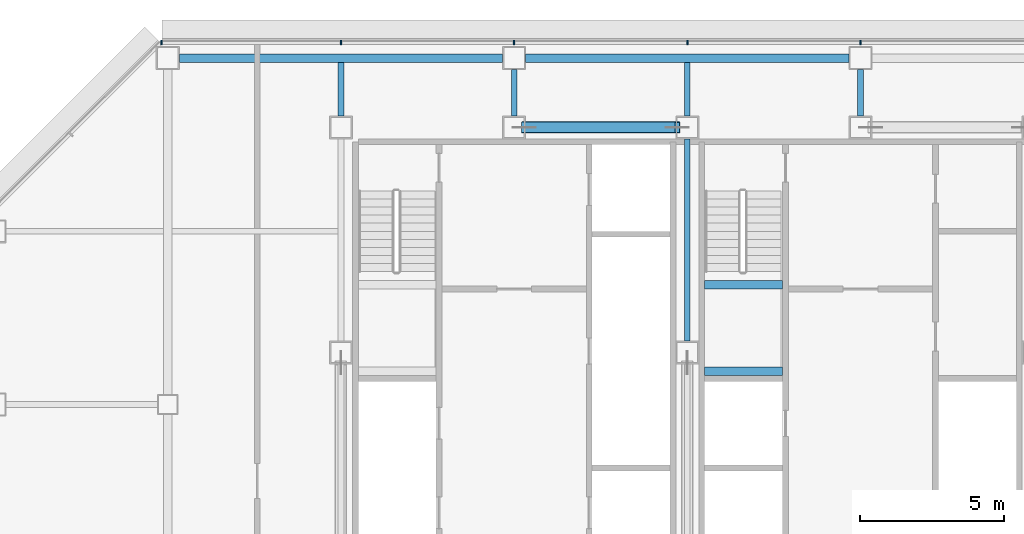
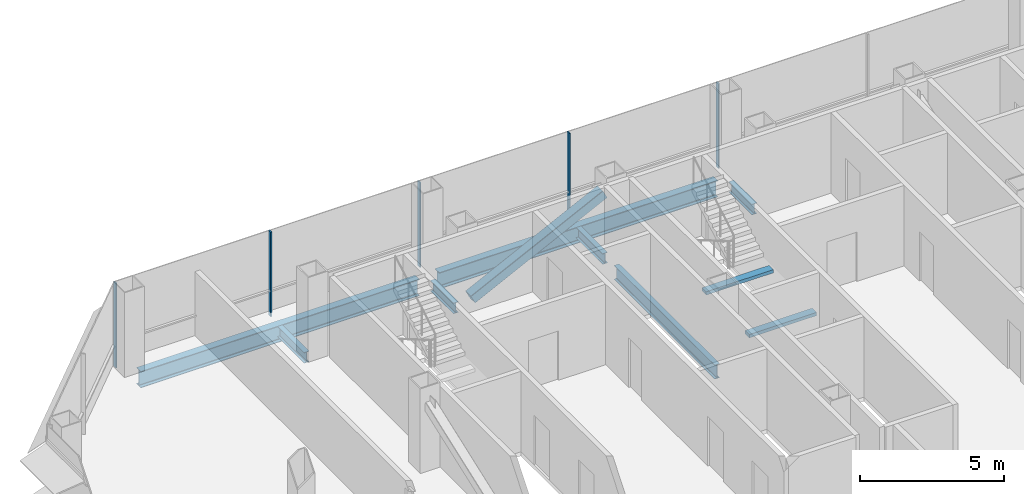
# One storey, part 12 of 25: 9 beams, 6 members, 1 element without a shape of its own.
"""IFC4 building model written with IfcOpenShell, lengths in metres."""

from ifc_helpers import new_model, si_unit, direction, frame, origin, origin_2d, place, context, subcontext, project, spatial, rectangle, hollow_rectangle, i_section, extrude, material, material_profile, profile_set, type_object, element, aggregate, save


model = new_model("IFC4")

# Units and contexts
model_context = context("Model", 3, precision=1e-05, world=origin(), true_north=direction((0.0, 1.0)))
body_context = subcontext(model_context, "Body", "Model", "MODEL_VIEW")
ifc_project = project(units=[si_unit("LENGTHUNIT", "METRE"), si_unit("AREAUNIT", "SQUARE_METRE"), si_unit("VOLUMEUNIT", "CUBIC_METRE"), si_unit("PLANEANGLEUNIT", "RADIAN"), si_unit("MASSUNIT", "GRAM", prefix="KILO")], contexts=[model_context])

# Site, building, storey
site_placement = place(None, origin())
site = spatial("IfcSite", under=ifc_project, at=site_placement, CompositionType="ELEMENT")
building_placement = place(site_placement, origin())
building = spatial("IfcBuilding", under=site, at=building_placement, Name="Sorahane Residences", CompositionType="ELEMENT")
storey_placement = place(building_placement, frame((0.0, 0.0, 126.800048828125)))
storey = spatial("IfcBuildingStorey", under=building, at=storey_placement, Name="L28", CompositionType="ELEMENT", Elevation=126.800048828125)

# Member
ifc_material_1 = material(Name="Steel Q355B", Category="steel")
ifc_material_profile_1 = material_profile(ifc_material_1, hollow_rectangle(XDim=0.39990234375, YDim=0.39990234375, WallThickness=0.02001953125, InnerFilletRadius=0.010009765625, OuterFilletRadius=0.030029296875, at=origin_2d()), Name="RHS 400x400x20")
ifc_profile_set_1 = profile_set([ifc_material_profile_1], Name="Steel Q355B")
member_type_1 = type_object("IfcMemberType", Name="Core brace RHS 400x400x20 Q355B", PredefinedType="BRACE", material=ifc_profile_set_1)
member_1_placement = place(storey_placement, frame((12.346923828125, 45.60009765625, 0.173583984375), z_axis=(0.896480070819, 0.0, 0.443084058192), x_axis=(0.0, 1.0, 0.0)))
element("IfcMember", 1, at=member_1_placement, inside=storey, type_object=member_type_1, Name="Core brace L28 y45.6-2", PredefinedType="BRACE", context=body_context, shape_type="SweptSolid", body=[
    extrude(hollow_rectangle(XDim=0.39990234375, YDim=0.39990234375, WallThickness=0.02001953125, InnerFilletRadius=0.010009765625, OuterFilletRadius=0.030029296875, at=origin_2d()), origin(), (0.0, 0.0, 1.0), 5.9189453125),
])

# Curtain wall, members
ifc_material_2 = material(Name="Dark low-e glass and black anodised aluminium", Category="aluminium")
curtain_wall_type = type_object("IfcCurtainWallType", Name="Curtain wall CW-1 Typical unitised wall", PredefinedType="NOTDEFINED", material=ifc_material_2)
curtain_wall_placement = place(storey_placement, origin())
curtain_wall = element("IfcCurtainWall", 2, at=curtain_wall_placement, inside=storey, type_object=curtain_wall_type, Name="CW-1 curtain wall L28 N1", PredefinedType="NOTDEFINED")
ifc_material_3 = material(Name="Black anodised aluminium", Category="aluminium")
ifc_material_profile_2 = material_profile(ifc_material_3, rectangle(XDim=0.159912109375, YDim=0.050048828125, at=origin_2d()), Name="Curtain wall mullion CW-1 black anodised aluminium 50x160")
ifc_profile_set_2 = profile_set([ifc_material_profile_2], Name="Black anodised aluminium")
member_type_2 = type_object("IfcMemberType", Name="Curtain wall mullion CW-1 black anodised aluminium 50x160", PredefinedType="MULLION", material=ifc_profile_set_2)
member_2_placement = place(storey_placement, frame((24.0, 48.5400390625, -0.179931640625), z_axis=(0.0, 0.0, 1.0), x_axis=(0.0, 1.0, 0.0)))
member_2 = element("IfcMember", 3, at=member_2_placement, type_object=member_type_2, Name="CW-1 mullion L28 N1.6", PredefinedType="MULLION", context=body_context, shape_type="SweptSolid", body=[
    extrude(rectangle(XDim=0.159912109375, YDim=0.050048828125, at=origin_2d()), origin(), (0.0, 0.0, 1.0), 3.599853515625),
])
member_3_placement = place(storey_placement, frame((18.0, 48.5400390625, -0.179931640625), z_axis=(0.0, 0.0, 1.0), x_axis=(0.0, 1.0, 0.0)))
member_3 = element("IfcMember", 4, at=member_3_placement, type_object=member_type_2, Name="CW-1 mullion L28 N1.7", PredefinedType="MULLION", context=body_context, shape_type="SweptSolid", body=[
    extrude(rectangle(XDim=0.159912109375, YDim=0.050048828125, at=origin_2d()), origin(), (0.0, 0.0, 1.0), 3.599853515625),
])
member_4_placement = place(storey_placement, frame((12.0, 48.5400390625, -0.179931640625), z_axis=(0.0, 0.0, 1.0), x_axis=(0.0, 1.0, 0.0)))
member_4 = element("IfcMember", 5, at=member_4_placement, type_object=member_type_2, Name="CW-1 mullion L28 N1.8", PredefinedType="MULLION", context=body_context, shape_type="SweptSolid", body=[
    extrude(rectangle(XDim=0.159912109375, YDim=0.050048828125, at=origin_2d()), origin(), (0.0, 0.0, 1.0), 3.599853515625),
])
member_5_placement = place(storey_placement, frame((6.0, 48.5400390625, -0.179931640625), z_axis=(0.0, 0.0, 1.0), x_axis=(0.0, 1.0, 0.0)))
member_5 = element("IfcMember", 6, at=member_5_placement, type_object=member_type_2, Name="CW-1 mullion L28 N1.9", PredefinedType="MULLION", context=body_context, shape_type="SweptSolid", body=[
    extrude(rectangle(XDim=0.159912109375, YDim=0.050048828125, at=origin_2d()), origin(), (0.0, 0.0, 1.0), 3.599853515625),
])
member_6_placement = place(storey_placement, frame((-0.2236328125, 48.5400390625, -0.179931640625), z_axis=(0.0, 0.0, 1.0), x_axis=(0.0, 1.0, 0.0)))
member_6 = element("IfcMember", 7, at=member_6_placement, type_object=member_type_2, Name="CW-1 mullion L28 N1.10", PredefinedType="MULLION", context=body_context, shape_type="SweptSolid", body=[
    extrude(rectangle(XDim=0.159912109375, YDim=0.050048828125, at=origin_2d()), origin(), (0.0, 0.0, 1.0), 3.599853515625),
])
aggregate(curtain_wall, [member_2, member_3, member_4, member_5, member_6])

# Beams
ifc_material_4 = material(Name="Concrete C40", Category="concrete")
ifc_material_profile_3 = material_profile(ifc_material_4, rectangle(XDim=0.300048828125, YDim=0.139892578125, at=origin_2d()), Name="300x140")
ifc_profile_set_3 = profile_set([ifc_material_profile_3], Name="Concrete C40")
beam_type_1 = type_object("IfcBeamType", Name="RC landing beam 300 x 140 Concrete C40", PredefinedType="BEAM", material=ifc_profile_set_3)
for number, where, z_axis, x_axis, name in (
    (8, (18.60009765625, 37.14990234375, 1.530029296875), (1.0, 0.0, 0.0), (0.0, 1.0, 0.0), "Landing beam"),
    (9, (18.60009765625, 40.14990234375, 1.530029296875), (1.0, 0.0, 0.0), (0.0, 1.0, 0.0), "Landing beam"),
):
    element("IfcBeam", number, at=place(storey_placement, frame(where, z_axis=z_axis, x_axis=x_axis)), inside=storey, type_object=beam_type_1, Name=name, PredefinedType="BEAM", context=body_context, shape_type="SweptSolid", body=[
        extrude(rectangle(XDim=0.300048828125, YDim=0.139892578125, at=origin_2d()), origin(), (0.0, 0.0, 1.0), 2.699951171875),
    ])
ifc_material_5 = material(Name="Steel Q355B", Category="steel")
ifc_material_profile_4 = material_profile(ifc_material_5, i_section(OverallWidth=0.199951171875, OverallDepth=0.449951171875, WebThickness=0.009033203125, FlangeThickness=0.013916015625, FilletRadius=0.02001953125, at=origin_2d()), Name="HN 450x200x9x14")
ifc_profile_set_4 = profile_set([ifc_material_profile_4], Name="Steel Q355B")
beam_type_2 = type_object("IfcBeamType", Name="Steel floor beam HN 450x200x9x14 Q355B", PredefinedType="BEAM", material=ifc_profile_set_4)
beam_1_placement = place(storey_placement, frame((6.0, 46.0, -0.405029296875), z_axis=(0.0, 1.0, 0.0), x_axis=(-1.0, 0.0, 0.0)))
element("IfcBeam", 10, at=beam_1_placement, inside=storey, type_object=beam_type_2, Name="Beam L28 033", PredefinedType="BEAM", context=body_context, shape_type="SweptSolid", body=[
    extrude(i_section(OverallWidth=0.199951171875, OverallDepth=0.449951171875, WebThickness=0.009033203125, FlangeThickness=0.013916015625, FilletRadius=0.02001953125, at=origin_2d()), origin(), (0.0, 0.0, 1.0), 1.85009765625),
])
beam_2_placement = place(storey_placement, frame((12.0, 46.0, -0.405029296875), z_axis=(0.0, 1.0, 0.0), x_axis=(-1.0, 0.0, 0.0)))
element("IfcBeam", 11, at=beam_2_placement, inside=storey, type_object=beam_type_2, Name="Beam L28 035", PredefinedType="BEAM", context=body_context, shape_type="SweptSolid", body=[
    extrude(i_section(OverallWidth=0.199951171875, OverallDepth=0.449951171875, WebThickness=0.009033203125, FlangeThickness=0.013916015625, FilletRadius=0.02001953125, at=origin_2d()), origin(), (0.0, 0.0, 1.0), 1.60009765625),
])
beam_3_placement = place(storey_placement, frame((18.0, 46.0, -0.405029296875), z_axis=(0.0, 1.0, 0.0), x_axis=(-1.0, 0.0, 0.0)))
element("IfcBeam", 12, at=beam_3_placement, inside=storey, type_object=beam_type_2, Name="Beam L28 041", PredefinedType="BEAM", context=body_context, shape_type="SweptSolid", body=[
    extrude(i_section(OverallWidth=0.199951171875, OverallDepth=0.449951171875, WebThickness=0.009033203125, FlangeThickness=0.013916015625, FilletRadius=0.02001953125, at=origin_2d()), origin(), (0.0, 0.0, 1.0), 1.85009765625),
])
beam_4_placement = place(storey_placement, frame((24.0, 46.0, -0.405029296875), z_axis=(0.0, 1.0, 0.0), x_axis=(-1.0, 0.0, 0.0)))
element("IfcBeam", 13, at=beam_4_placement, inside=storey, type_object=beam_type_2, Name="Beam L28 043", PredefinedType="BEAM", context=body_context, shape_type="SweptSolid", body=[
    extrude(i_section(OverallWidth=0.199951171875, OverallDepth=0.449951171875, WebThickness=0.009033203125, FlangeThickness=0.013916015625, FilletRadius=0.02001953125, at=origin_2d()), origin(), (0.0, 0.0, 1.0), 1.60009765625),
])
ifc_material_6 = material(Name="Steel Q355B", Category="steel")
ifc_material_profile_5 = material_profile(ifc_material_6, i_section(OverallWidth=0.199951171875, OverallDepth=0.60009765625, WebThickness=0.010986328125, FlangeThickness=0.01708984375, FilletRadius=0.02392578125, at=origin_2d()), Name="HN 600x200x11x17")
ifc_profile_set_5 = profile_set([ifc_material_profile_5], Name="Steel Q355B")
beam_type_3 = type_object("IfcBeamType", Name="Steel floor beam HN 600x200x11x17 Q355B", PredefinedType="BEAM", material=ifc_profile_set_5)
beam_5_placement = place(storey_placement, frame((18.0, 38.199951171875, -0.47998046875), z_axis=(0.0, 1.0, 0.0), x_axis=(-1.0, 0.0, 0.0)))
element("IfcBeam", 14, at=beam_5_placement, inside=storey, type_object=beam_type_3, Name="Beam L28 040", PredefinedType="BEAM", context=body_context, shape_type="SweptSolid", body=[
    extrude(i_section(OverallWidth=0.199951171875, OverallDepth=0.60009765625, WebThickness=0.010986328125, FlangeThickness=0.01708984375, FilletRadius=0.02392578125, at=origin_2d()), origin(), (0.0, 0.0, 1.0), 7.0),
])
ifc_material_7 = material(Name="Steel Q355B", Category="steel")
ifc_material_profile_6 = material_profile(ifc_material_7, i_section(OverallWidth=0.300048828125, OverallDepth=0.699951171875, WebThickness=0.012939453125, FlangeThickness=0.02392578125, FilletRadius=0.028076171875, at=origin_2d()), Name="HN 700x300x13x24")
ifc_profile_set_6 = profile_set([ifc_material_profile_6], Name="Steel Q355B")
beam_type_4 = type_object("IfcBeamType", Name="Steel floor beam HN 700x300x13x24 Q355B", PredefinedType="BEAM", material=ifc_profile_set_6)
for number, where, z_axis, x_axis, name in (
    (15, (0.39990234375, 48.0, -0.530029296875), (1.0, 0.0, 0.0), (0.0, 1.0, 0.0), "Beam L28 015"),
    (16, (12.39990234375, 48.0, -0.530029296875), (1.0, 0.0, 0.0), (0.0, 1.0, 0.0), "Beam L28 016"),
):
    element("IfcBeam", number, at=place(storey_placement, frame(where, z_axis=z_axis, x_axis=x_axis)), inside=storey, type_object=beam_type_4, Name=name, PredefinedType="BEAM", context=body_context, shape_type="SweptSolid", body=[
        extrude(i_section(OverallWidth=0.300048828125, OverallDepth=0.699951171875, WebThickness=0.012939453125, FlangeThickness=0.02392578125, FilletRadius=0.028076171875, at=origin_2d()), origin(), (0.0, 0.0, 1.0), 11.2001953125),
    ])

save(model, "model.ifc")
